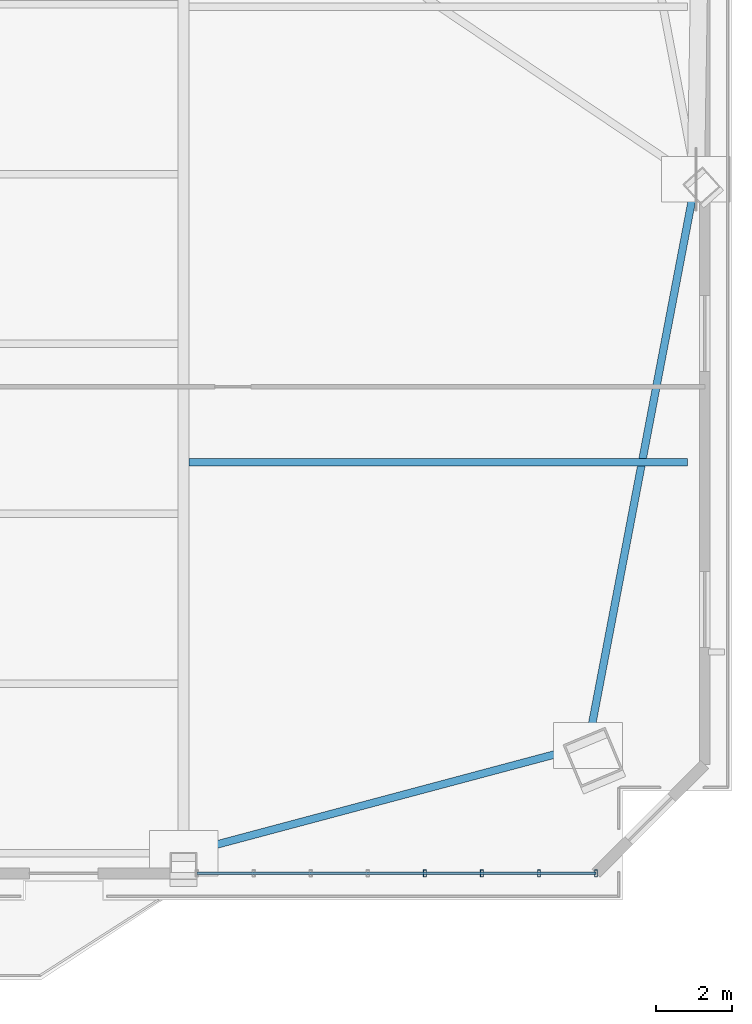
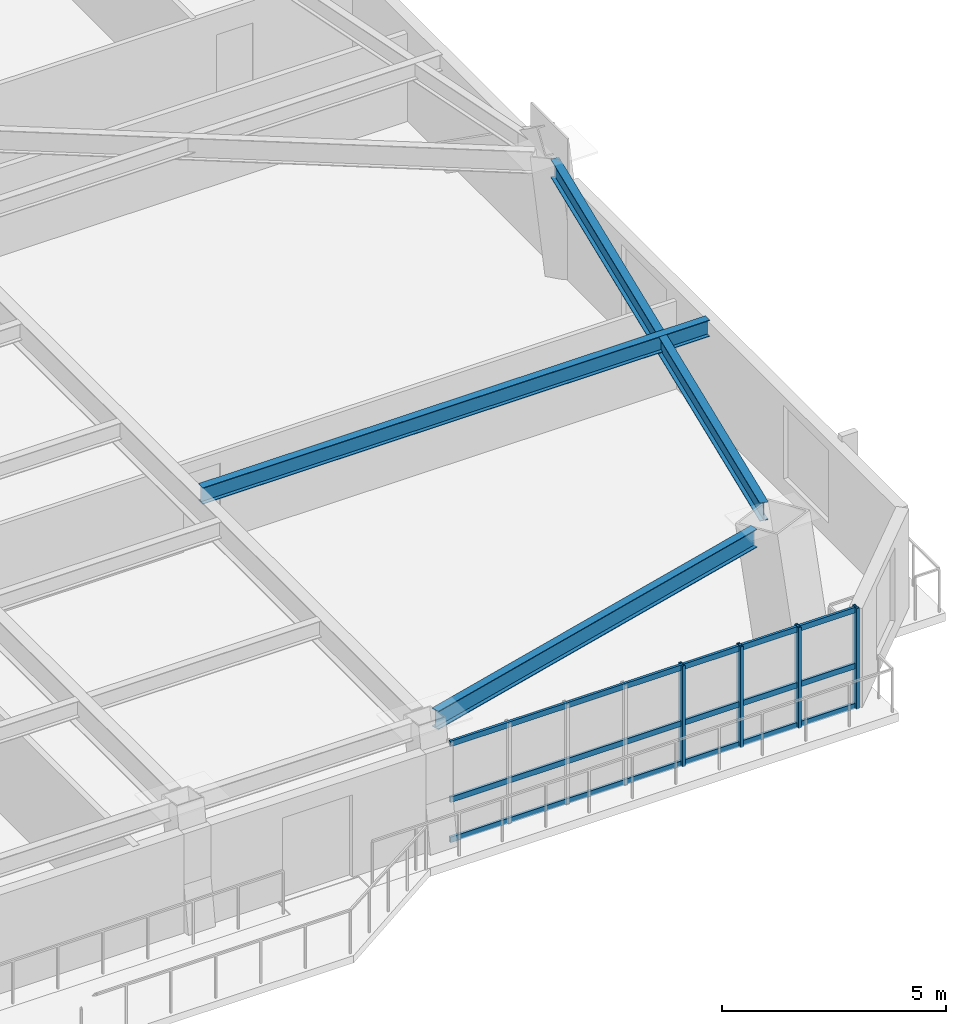
# One storey, part 5 of 15: 7 members, 3 beams, 1 element without a shape of its own.
"""IFC4 building model written with IfcOpenShell, lengths in metres."""

from ifc_helpers import new_model, si_unit, direction, frame, origin, origin_2d, place, context, subcontext, project, spatial, hollow_rectangle, i_section, extrude, source, transform, mapped, material, layer, layer_set, material_profile, profile_set, type_object, element, aggregate, save


model = new_model("IFC4")

# Units and contexts
model_context = context("Model", 3, precision=1e-05, world=origin(), true_north=direction((0.0, 1.0)))
body_context = subcontext(model_context, "Body", "Model", "MODEL_VIEW")
ifc_project = project(units=[si_unit("LENGTHUNIT", "METRE"), si_unit("AREAUNIT", "SQUARE_METRE"), si_unit("VOLUMEUNIT", "CUBIC_METRE"), si_unit("PLANEANGLEUNIT", "RADIAN"), si_unit("MASSUNIT", "GRAM", prefix="KILO")], contexts=[model_context])

# Site, building, storey
site_placement = place(None, origin())
site = spatial("IfcSite", under=ifc_project, at=site_placement, CompositionType="ELEMENT")
building_placement = place(site_placement, origin())
building = spatial("IfcBuilding", under=site, at=building_placement, Name="Giltprow Tower", CompositionType="ELEMENT")
storey_placement = place(building_placement, frame((0.0, 0.0, 187.699951171875)))
storey = spatial("IfcBuildingStorey", under=building, at=storey_placement, Name="L47", CompositionType="ELEMENT", Elevation=187.699951171875)

# Beams
ifc_material_1 = material(Name="Structural steel Q355B", Category="steel")
ifc_material_profile_1 = material_profile(ifc_material_1, i_section(OverallWidth=0.199951171875, OverallDepth=0.5, WebThickness=0.010009765625, FlangeThickness=0.01611328125, at=origin_2d()), Name="HN 500x200x10x16")
ifc_profile_set_1 = profile_set([ifc_material_profile_1], Name="Structural steel Q355B")
beam_type_1 = type_object("IfcBeamType", Name="BM-SPAN-HN500", PredefinedType="SPANDREL", material=ifc_profile_set_1)
shared_shape_1 = source(origin(), body_context, "Body", "SweptSolid", [
    extrude(i_section(OverallWidth=0.199951171875, OverallDepth=0.5, WebThickness=0.010009765625, FlangeThickness=0.01611328125, at=origin_2d()), origin(), (0.0, 0.0, 1.0), 10.07861328125),
])
beam_1_placement = place(storey_placement, frame((50.8740234375, 10.76611328125, 2.969970703125), z_axis=(0.966207996838, 0.257763664712, 0.0), x_axis=(-0.257763664712, 0.966207996838, 0.0)))
element("IfcBeam", 1, at=beam_1_placement, inside=storey, type_object=beam_type_1, Name="L47 Perimeter Spandrel Beam S4-MC_SE", PredefinedType="SPANDREL", context=body_context, shape_type="MappedRepresentation", body=[
    mapped(shared_shape_1, transform((0.0, 0.0, 0.0), x_axis=(1.0, 0.0, 0.0), y_axis=(0.0, 1.0, 0.0), z_axis=(0.0, 0.0, 1.0), scale=1.0)),
])
shared_shape_2 = source(origin(), body_context, "Body", "SweptSolid", [
    extrude(i_section(OverallWidth=0.199951171875, OverallDepth=0.5, WebThickness=0.010009765625, FlangeThickness=0.01611328125, at=origin_2d()), origin(), (0.0, 0.0, 1.0), 14.22216796875),
])
beam_2_placement = place(storey_placement, frame((61.287109375, 14.090087890625, 2.969970703125), z_axis=(0.187161802897, 0.982329099404, 0.0), x_axis=(-0.982329099404, 0.187161802897, 0.0)))
element("IfcBeam", 2, at=beam_2_placement, inside=storey, type_object=beam_type_1, Name="L47 Perimeter Spandrel Beam MC_SE-E_MID", PredefinedType="SPANDREL", context=body_context, shape_type="MappedRepresentation", body=[
    mapped(shared_shape_2, transform((0.0, 0.0, 0.0), x_axis=(1.0, 0.0, 0.0), y_axis=(0.0, 1.0, 0.0), z_axis=(0.0, 0.0, 1.0), scale=1.0)),
])
ifc_material_profile_2 = material_profile(ifc_material_1, i_section(OverallWidth=0.199951171875, OverallDepth=0.449951171875, WebThickness=0.009033203125, FlangeThickness=0.013916015625, at=origin_2d()), Name="HN 450x200x9x14")
ifc_profile_set_2 = profile_set([ifc_material_profile_2], Name="Structural steel Q355B")
beam_type_2 = type_object("IfcBeamType", Name="BM-JOIST-HN450", PredefinedType="JOIST", material=ifc_profile_set_2)
shared_shape_3 = source(origin(), body_context, "Body", "SweptSolid", [
    extrude(i_section(OverallWidth=0.199951171875, OverallDepth=0.449951171875, WebThickness=0.009033203125, FlangeThickness=0.013916015625, at=origin_2d()), origin(), (0.0, 0.0, 1.0), 13.096923828125),
])
beam_3_placement = place(storey_placement, frame((50.695068359375, 20.952880859375, 2.9951171875), z_axis=(1.0, 0.0, 0.0), x_axis=(0.0, 1.0, 0.0)))
element("IfcBeam", 3, at=beam_3_placement, inside=storey, type_object=beam_type_2, Name="L47 East Wing Floor Joist 1", PredefinedType="JOIST", context=body_context, shape_type="MappedRepresentation", body=[
    mapped(shared_shape_3, transform((0.0, 0.0, 0.0), x_axis=(1.0, 0.0, 0.0), y_axis=(0.0, 1.0, 0.0), z_axis=(0.0, 0.0, 1.0), scale=1.0)),
])

# Curtain wall, members
ifc_material_2 = material(Name="Anodized bronze", Category="metal")
ifc_layer = layer(ifc_material_2, 0.179931640625, Name="Anodized bronze")
ifc_layer_set = layer_set([ifc_layer], Name="Anodized bronze")
curtain_wall_type = type_object("IfcCurtainWallType", Name="CW-HTL-BRONZE", PredefinedType="NOTDEFINED", material=ifc_layer_set)
curtain_wall_placement = place(storey_placement, origin())
curtain_wall = element("IfcCurtainWall", 4, at=curtain_wall_placement, inside=storey, type_object=curtain_wall_type, Name="L47 South Recessed Curtain Wall 6", PredefinedType="NOTDEFINED")
ifc_material_profile_3 = material_profile(ifc_material_2, hollow_rectangle(XDim=0.074951171875, YDim=0.179931640625, WallThickness=0.008056640625, at=origin_2d()), Name="RHS 180x75x8")
ifc_profile_set_3 = profile_set([ifc_material_profile_3], Name="Anodized bronze")
member_type_1 = type_object("IfcMemberType", Name="CW-MULLION-180x75", PredefinedType="MULLION", material=ifc_profile_set_3)
shared_shape_4 = source(origin(), body_context, "Body", "SweptSolid", [
    extrude(hollow_rectangle(XDim=0.074951171875, YDim=0.179931640625, WallThickness=0.008056640625, at=origin_2d()), origin(), (0.0, 0.0, 1.0), 2.755126953125),
])
member_1_placement = place(storey_placement, frame((56.89208984375, 10.154052734375, -0.02001953125), z_axis=(0.0, 0.0, 1.0), x_axis=(1.0, 0.0, 0.0)))
member_1 = element("IfcMember", 5, at=member_1_placement, type_object=member_type_1, Name="L47 South Recessed Curtain Wall 6 Mullion 5", PredefinedType="MULLION", context=body_context, shape_type="MappedRepresentation", body=[
    mapped(shared_shape_4, transform((0.0, 0.0, 0.0), x_axis=(1.0, 0.0, 0.0), y_axis=(0.0, 1.0, 0.0), z_axis=(0.0, 0.0, 1.0), scale=1.0)),
])
member_2_placement = place(storey_placement, frame((58.389892578125, 10.154052734375, -0.02001953125), z_axis=(0.0, 0.0, 1.0), x_axis=(1.0, 0.0, 0.0)))
member_2 = element("IfcMember", 6, at=member_2_placement, type_object=member_type_1, Name="L47 South Recessed Curtain Wall 6 Mullion 6", PredefinedType="MULLION", context=body_context, shape_type="MappedRepresentation", body=[
    mapped(shared_shape_4, transform((0.0, 0.0, 0.0), x_axis=(1.0, 0.0, 0.0), y_axis=(0.0, 1.0, 0.0), z_axis=(0.0, 0.0, 1.0), scale=1.0)),
])
member_3_placement = place(storey_placement, frame((59.887939453125, 10.154052734375, -0.02001953125), z_axis=(0.0, 0.0, 1.0), x_axis=(1.0, 0.0, 0.0)))
member_3 = element("IfcMember", 7, at=member_3_placement, type_object=member_type_1, Name="L47 South Recessed Curtain Wall 6 Mullion 7", PredefinedType="MULLION", context=body_context, shape_type="MappedRepresentation", body=[
    mapped(shared_shape_4, transform((0.0, 0.0, 0.0), x_axis=(1.0, 0.0, 0.0), y_axis=(0.0, 1.0, 0.0), z_axis=(0.0, 0.0, 1.0), scale=1.0)),
])
member_4_placement = place(storey_placement, frame((61.385986328125, 10.154052734375, -0.02001953125), z_axis=(0.0, 0.0, 1.0), x_axis=(1.0, 0.0, 0.0)))
member_4 = element("IfcMember", 8, at=member_4_placement, type_object=member_type_1, Name="L47 South Recessed Curtain Wall 6 Mullion 8", PredefinedType="MULLION", context=body_context, shape_type="MappedRepresentation", body=[
    mapped(shared_shape_4, transform((0.0, 0.0, 0.0), x_axis=(1.0, 0.0, 0.0), y_axis=(0.0, 1.0, 0.0), z_axis=(0.0, 0.0, 1.0), scale=1.0)),
])
ifc_material_profile_4 = material_profile(ifc_material_2, hollow_rectangle(XDim=0.06494140625, YDim=0.14990234375, WallThickness=0.006103515625, at=origin_2d()), Name="RHS 150x65x6")
ifc_profile_set_4 = profile_set([ifc_material_profile_4], Name="Anodized bronze")
member_type_2 = type_object("IfcMemberType", Name="CW-TRANSOM-150x65", PredefinedType="USERDEFINED", material=ifc_profile_set_4)
shared_shape_5 = source(origin(), body_context, "Body", "SweptSolid", [
    extrude(hollow_rectangle(XDim=0.06494140625, YDim=0.14990234375, WallThickness=0.006103515625, at=origin_2d()), origin(), (0.0, 0.0, 1.0), 10.486083984375),
])
member_5_placement = place(storey_placement, frame((50.89990234375, 10.154052734375, 0.0400390625), z_axis=(1.0, 0.0, 0.0), x_axis=(0.0, 1.0, 0.0)))
member_5 = element("IfcMember", 9, at=member_5_placement, type_object=member_type_2, Name="L47 South Recessed Curtain Wall 6 Transom 1", ObjectType="TRANSOM", PredefinedType="USERDEFINED", context=body_context, shape_type="MappedRepresentation", body=[
    mapped(shared_shape_5, transform((0.0, 0.0, 0.0), x_axis=(1.0, 0.0, 0.0), y_axis=(0.0, 1.0, 0.0), z_axis=(0.0, 0.0, 1.0), scale=1.0)),
])
member_6_placement = place(storey_placement, frame((50.89990234375, 10.154052734375, 1.134033203125), z_axis=(1.0, 0.0, 0.0), x_axis=(0.0, 1.0, 0.0)))
member_6 = element("IfcMember", 10, at=member_6_placement, type_object=member_type_2, Name="L47 South Recessed Curtain Wall 6 Transom 2", ObjectType="TRANSOM", PredefinedType="USERDEFINED", context=body_context, shape_type="MappedRepresentation", body=[
    mapped(shared_shape_5, transform((0.0, 0.0, 0.0), x_axis=(1.0, 0.0, 0.0), y_axis=(0.0, 1.0, 0.0), z_axis=(0.0, 0.0, 1.0), scale=1.0)),
])
member_7_placement = place(storey_placement, frame((50.89990234375, 10.154052734375, 2.66015625), z_axis=(1.0, 0.0, 0.0), x_axis=(0.0, 1.0, 0.0)))
member_7 = element("IfcMember", 11, at=member_7_placement, type_object=member_type_2, Name="L47 South Recessed Curtain Wall 6 Transom 3", ObjectType="TRANSOM", PredefinedType="USERDEFINED", context=body_context, shape_type="MappedRepresentation", body=[
    mapped(shared_shape_5, transform((0.0, 0.0, 0.0), x_axis=(1.0, 0.0, 0.0), y_axis=(0.0, 1.0, 0.0), z_axis=(0.0, 0.0, 1.0), scale=1.0)),
])
aggregate(curtain_wall, [member_1, member_2, member_3, member_4, member_5, member_6, member_7])

save(model, "model.ifc")
